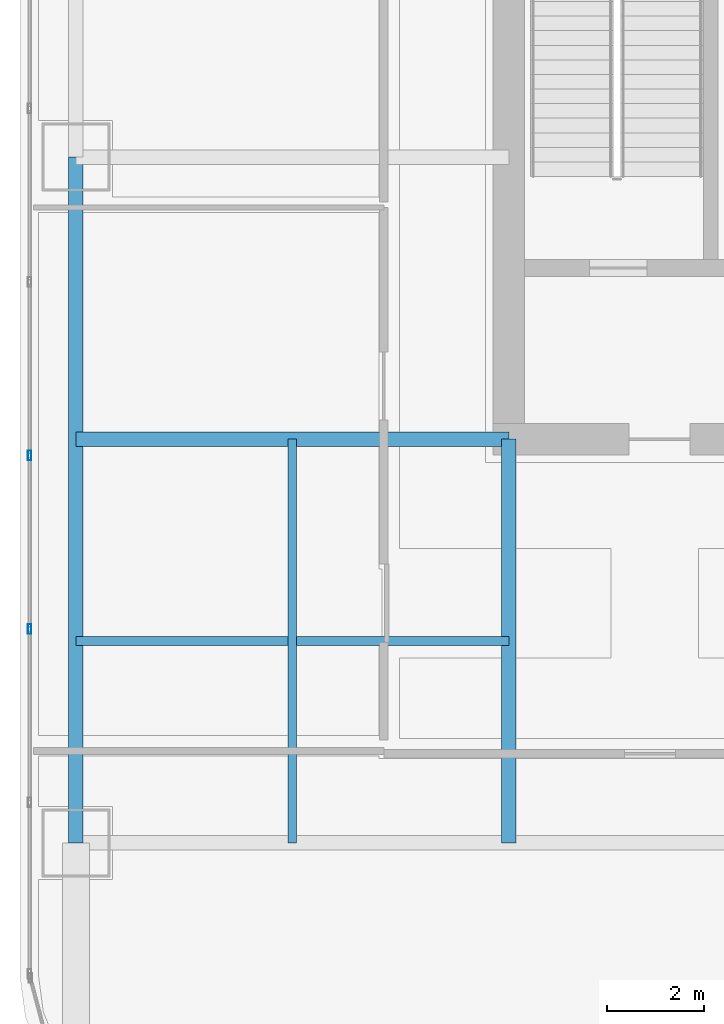
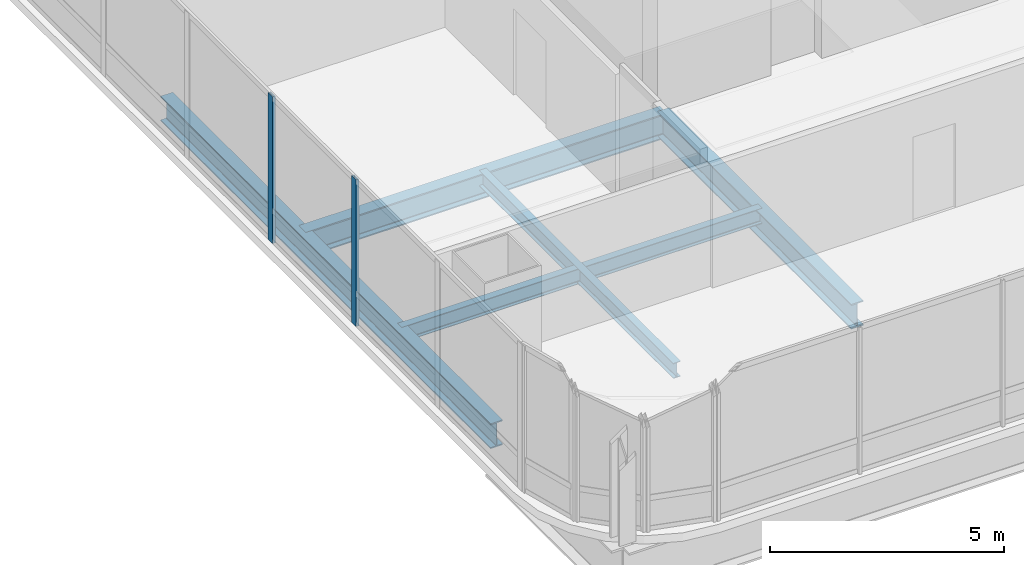
# One storey, part 4 of 36: 5 beams, 2 members, 1 element without a shape of its own.
"""IFC4 building model written with IfcOpenShell, lengths in metres."""

import ifcopenshell
import ifcopenshell.guid

model = None  # the IFC model being written
_history = None  # IfcOwnerHistory: only IFC2X3 demands one
_inside = {}  # id of a spatial element -> (the spatial element, [elements in it])
_under = {}  # id of a project, library or spatial element -> (it, [spatial elements below it])
_declared = {}  # id of a project -> (the project, [libraries it declares])
_typed = {}  # id of a type object -> (the type object, [elements of that type])
_made_of = {}  # id of a material, layer set ... -> (it, [elements and type objects made of it])


def new_model(schema):
    """Start an empty IFC model of exactly this schema.

    Asked for "IFC4X3", IfcOpenShell would pick the latest addendum, in which some entities
    have other attributes; the version numbers below select the first issue.
    IFC2X3 requires an IfcOwnerHistory on every rooted entity: one is made here for all.
    """
    global model, _history
    if schema == "IFC4X3":
        model = ifcopenshell.file(schema_version=(4, 3, 0, 0))
    else:
        model = ifcopenshell.file(schema=schema)
    _inside.clear()
    _under.clear()
    _declared.clear()
    _typed.clear()
    _made_of.clear()
    _history = None
    if model.schema == "IFC2X3":
        org = make("IfcOrganization", Name="unknown")
        user = make(
            "IfcPersonAndOrganization",
            ThePerson=make("IfcPerson", FamilyName="unknown"),
            TheOrganization=org,
        )
        app = make(
            "IfcApplication",
            ApplicationDeveloper=org,
            Version="unknown",
            ApplicationFullName="unknown",
            ApplicationIdentifier="unknown",
        )
        _history = make(
            "IfcOwnerHistory",
            OwningUser=user,
            OwningApplication=app,
            ChangeAction="ADDED",
            CreationDate=0,
        )
    return model


def make(cls, **values):
    """One entity of the class cls with the attributes given. An attribute that is None is left unset."""
    return model.create_entity(
        cls, **{name: value for name, value in values.items() if value is not None}
    )


def rooted(cls, **values):
    """An entity with a GlobalId (a new one), such as an element, a storey or a relation."""
    return make(cls, GlobalId=ifcopenshell.guid.new(), OwnerHistory=_history, **values)


def si_unit(unit_type, name, prefix=None):
    """IfcSIUnit, for example si_unit("LENGTHUNIT", "METRE", prefix="MILLI")."""
    return make("IfcSIUnit", UnitType=unit_type, Prefix=prefix, Name=name)


def assignment(units):
    """IfcUnitAssignment: the units of a project."""
    return None if units is None else make("IfcUnitAssignment", Units=units)


def point(xyz):
    """IfcCartesianPoint."""
    return None if xyz is None else make("IfcCartesianPoint", Coordinates=xyz)


def direction(xyz):
    """IfcDirection."""
    return None if xyz is None else make("IfcDirection", DirectionRatios=xyz)


def frame(location, z_axis=None, x_axis=None):
    """IfcAxis2Placement3D, a coordinate frame: its origin and axes. An axis left out is left unset."""
    return make(
        "IfcAxis2Placement3D",
        Location=point(location),
        Axis=direction(z_axis),
        RefDirection=direction(x_axis),
    )


def frame_2d(location, x_axis=None):
    """IfcAxis2Placement2D, a coordinate frame in the plane: its origin and x axis."""
    return make(
        "IfcAxis2Placement2D", Location=point(location), RefDirection=direction(x_axis)
    )


def origin():
    """The frame at (0, 0, 0) with its axes left unset."""
    return frame((0.0, 0.0, 0.0))


def origin_2d():
    """The frame at (0, 0) in the plane with its x axis left unset."""
    return frame_2d((0.0, 0.0))


def place(relative_to, where):
    """IfcLocalPlacement: puts the frame where relative to a parent placement (None: the world)."""
    return make(
        "IfcLocalPlacement", PlacementRelTo=relative_to, RelativePlacement=where
    )


def context(
    kind, dimensions, precision=None, world=None, true_north=None, identifier=None
):
    """IfcGeometricRepresentationContext, for example the 3D "Model" context."""
    return make(
        "IfcGeometricRepresentationContext",
        ContextIdentifier=identifier,
        ContextType=kind,
        CoordinateSpaceDimension=dimensions,
        Precision=precision,
        WorldCoordinateSystem=world,
        TrueNorth=true_north,
    )


def subcontext(parent, identifier, kind, view, scale=None):
    """IfcGeometricRepresentationSubContext, for example "Body" below "Model"."""
    return make(
        "IfcGeometricRepresentationSubContext",
        ContextIdentifier=identifier,
        ContextType=kind,
        ParentContext=parent,
        TargetScale=scale,
        TargetView=view,
    )


def project(units=None, contexts=None):
    """IfcProject with its units and contexts."""
    return rooted(
        "IfcProject",
        Name="project",
        RepresentationContexts=contexts,
        UnitsInContext=assignment(units),
    )


def spatial(cls, under=None, at=None, **own):
    """A site, building, storey or space (cls), placed at a placement, below another one or the project."""
    s = rooted(cls, ObjectPlacement=at, **own)
    if under is not None:
        _under.setdefault(under.id(), (under, []))[1].append(s)
    return s


def profile(cls, at=None, kind="AREA", **sizes):
    """A parametric profile (cls). Its sizes go by their IFC names, for example OverallWidth=200.0."""
    return make(cls, ProfileType=kind, Position=at, **sizes)


def hollow_rectangle(**sizes):
    """IfcRectangleHollowProfileDef."""
    return profile("IfcRectangleHollowProfileDef", **sizes)


def i_section(**sizes):
    """IfcIShapeProfileDef."""
    return profile("IfcIShapeProfileDef", **sizes)


def extrude(swept, where, along, depth):
    """IfcExtrudedAreaSolid: the profile swept, set in the frame where, extruded along a direction by depth."""
    return make(
        "IfcExtrudedAreaSolid",
        SweptArea=swept,
        Position=where,
        ExtrudedDirection=direction(along),
        Depth=depth,
    )


def shape(context_of_items, identifier, shape_type, items):
    """IfcShapeRepresentation: the items that make up one representation, for example the "Body"."""
    return make(
        "IfcShapeRepresentation",
        ContextOfItems=context_of_items,
        RepresentationIdentifier=identifier,
        RepresentationType=shape_type,
        Items=items,
    )


def material(Name=None, Category=None):
    """IfcMaterial."""
    return make("IfcMaterial", Name=Name, Category=Category)


def material_profile(
    of_material, cross_section, Name=None, Category=None, Priority=None
):
    """IfcMaterialProfile: a cross section and its material."""
    return make(
        "IfcMaterialProfile",
        Name=Name,
        Material=of_material,
        Profile=cross_section,
        Priority=Priority,
        Category=Category,
    )


def profile_set(profiles, Name=None, composite=None):
    """IfcMaterialProfileSet."""
    return make(
        "IfcMaterialProfileSet",
        Name=Name,
        MaterialProfiles=profiles,
        CompositeProfile=composite,
    )


def made_of(thing, what):
    """Note that an element or type object is made of a material, layer set ...; save() writes the relation."""
    if what is not None:
        _made_of.setdefault(what.id(), (what, []))[1].append(thing)
    return thing


def type_object(cls, material=None, **own):
    """A type object (cls), such as IfcWallType, which elements share."""
    return made_of(rooted(cls, **own), material)


def element(
    cls,
    number,
    at=None,
    inside=None,
    cuts=None,
    type_object=None,
    material=None,
    context=None,
    identifier="Body",
    shape_type=None,
    held_by="IfcProductDefinitionShape",
    body=None,
    shapes=None,
    **own,
):
    """One element of the class cls, such as IfcWall. Its Tag is "e" and its number.

    at: its placement. inside: the storey or other place that contains it. cuts: it is an
    opening in that element (IfcRelVoidsElement). A single representation is given by context,
    identifier, shape_type and body (its items); several are given by shapes. held_by: the class
    of the entity that holds the representations. save() writes the other relations.
    """
    e = rooted(cls, Tag="e%d" % number, ObjectPlacement=at, **own)
    if body is not None:
        shapes = [shape(context, identifier, shape_type, body)]
    if shapes is not None:
        e.Representation = make(held_by, Representations=shapes)
    if inside is not None:
        _inside.setdefault(inside.id(), (inside, []))[1].append(e)
    if cuts is not None:
        rooted(
            "IfcRelVoidsElement", RelatingBuildingElement=cuts, RelatedOpeningElement=e
        )
    if type_object is not None:
        _typed.setdefault(type_object.id(), (type_object, []))[1].append(e)
    return made_of(e, material)


def aggregate(whole, parts):
    """IfcRelAggregates: a whole, such as a stair, and the parts it consists of."""
    return rooted("IfcRelAggregates", RelatingObject=whole, RelatedObjects=parts)


def save(model, path):
    """Write the relations noted so far, then the file.

    IfcRelAggregates (storeys below a building ...), IfcRelContainedInSpatialStructure (elements
    in a storey), IfcRelDefinesByType, IfcRelAssociatesMaterial and IfcRelDeclares: one each for
    every whole, place, type object, material and project.
    """
    for whole, parts in _under.values():
        aggregate(whole, parts)
    for where, things in _inside.values():
        rooted(
            "IfcRelContainedInSpatialStructure",
            RelatedElements=things,
            RelatingStructure=where,
        )
    for kind, things in _typed.values():
        rooted("IfcRelDefinesByType", RelatedObjects=things, RelatingType=kind)
    for what, things in _made_of.values():
        rooted("IfcRelAssociatesMaterial", RelatedObjects=things, RelatingMaterial=what)
    for by, libraries in _declared.values():
        rooted("IfcRelDeclares", RelatingContext=by, RelatedDefinitions=libraries)
    model.write(path)


model = new_model("IFC4")

# Units and contexts
model_context = context("Model", 3, precision=1e-05, world=origin(), true_north=direction((0.0, 1.0)))
body_context = subcontext(model_context, "Body", "Model", "MODEL_VIEW")
ifc_project = project(units=[si_unit("LENGTHUNIT", "METRE"), si_unit("AREAUNIT", "SQUARE_METRE"), si_unit("VOLUMEUNIT", "CUBIC_METRE"), si_unit("PLANEANGLEUNIT", "RADIAN"), si_unit("MASSUNIT", "GRAM", prefix="KILO")], contexts=[model_context])

# Site, building, storey
site_placement = place(None, origin())
site = spatial("IfcSite", under=ifc_project, at=site_placement, CompositionType="ELEMENT")
building_placement = place(site_placement, origin())
building = spatial("IfcBuilding", under=site, at=building_placement, Name="Punatoya Terracotta Tower", CompositionType="ELEMENT")
storey_placement = place(building_placement, frame((0.0, 0.0, 208.64990234375)))
storey = spatial("IfcBuildingStorey", under=building, at=storey_placement, Name="L49", CompositionType="ELEMENT", Elevation=208.64990234375)

# Beams
ifc_material_1 = material(Name="Steel S355", Category="steel")
ifc_material_profile_1 = material_profile(ifc_material_1, i_section(OverallWidth=0.300048828125, OverallDepth=0.64990234375, WebThickness=0.01611328125, FlangeThickness=0.031005859375, FilletRadius=0.01806640625, at=origin_2d()))
ifc_profile_set_1 = profile_set([ifc_material_profile_1], Name="Steel S355")
beam_type_1 = type_object("IfcBeamType", Name="BM-PRI-650", PredefinedType="BEAM", material=ifc_profile_set_1)
beam_1_placement = place(storey_placement, frame((-19.10009765625, -17.5, -0.544921875), z_axis=(0.0, 1.0, 0.0), x_axis=(-1.0, 0.0, 0.0)))
element("IfcBeam", 1, at=beam_1_placement, inside=storey, type_object=beam_type_1, Name="BM-L49-RG-W1", PredefinedType="BEAM", context=body_context, shape_type="SweptSolid", body=[
    extrude(i_section(OverallWidth=0.300048828125, OverallDepth=0.64990234375, WebThickness=0.01611328125, FlangeThickness=0.031005859375, FilletRadius=0.01806640625, at=origin_2d()), origin(), (0.0, 0.0, 1.0), 14.10009765625),
])
beam_2_placement = place(storey_placement, frame((-19.10009765625, -9.199951171875, -0.544921875), z_axis=(1.0, 0.0, 0.0), x_axis=(0.0, 1.0, 0.0)))
element("IfcBeam", 2, at=beam_2_placement, inside=storey, type_object=beam_type_1, Name="BM-L49-PR-WS", PredefinedType="BEAM", context=body_context, shape_type="SweptSolid", body=[
    extrude(i_section(OverallWidth=0.300048828125, OverallDepth=0.64990234375, WebThickness=0.01611328125, FlangeThickness=0.031005859375, FilletRadius=0.01806640625, at=origin_2d()), origin(), (0.0, 0.0, 1.0), 8.900146484375),
])
beam_3_placement = place(storey_placement, frame((-10.199951171875, -17.5, -0.544921875), z_axis=(0.0, 1.0, 0.0), x_axis=(-1.0, 0.0, 0.0)))
element("IfcBeam", 3, at=beam_3_placement, inside=storey, type_object=beam_type_1, Name="BM-L49-PR-S1", PredefinedType="BEAM", context=body_context, shape_type="SweptSolid", body=[
    extrude(i_section(OverallWidth=0.300048828125, OverallDepth=0.64990234375, WebThickness=0.01611328125, FlangeThickness=0.031005859375, FilletRadius=0.01806640625, at=origin_2d()), origin(), (0.0, 0.0, 1.0), 8.300048828125),
])
ifc_material_profile_2 = material_profile(ifc_material_1, i_section(OverallWidth=0.179931640625, OverallDepth=0.39990234375, WebThickness=0.008544921875, FlangeThickness=0.013427734375, FilletRadius=0.01806640625, at=origin_2d()))
ifc_profile_set_2 = profile_set([ifc_material_profile_2], Name="Steel S355")
beam_type_2 = type_object("IfcBeamType", Name="BM-SEC-400", PredefinedType="JOIST", material=ifc_profile_set_2)
beam_4_placement = place(storey_placement, frame((-19.10009765625, -13.35009765625, -0.419921875), z_axis=(1.0, 0.0, 0.0), x_axis=(0.0, 1.0, 0.0)))
element("IfcBeam", 4, at=beam_4_placement, inside=storey, type_object=beam_type_2, Name="BM-L49-SJS-1", PredefinedType="JOIST", context=body_context, shape_type="SweptSolid", body=[
    extrude(i_section(OverallWidth=0.179931640625, OverallDepth=0.39990234375, WebThickness=0.008544921875, FlangeThickness=0.013427734375, FilletRadius=0.01806640625, at=origin_2d()), origin(), (0.0, 0.0, 1.0), 8.900146484375),
])
beam_5_placement = place(storey_placement, frame((-14.64990234375, -17.5, -0.419921875), z_axis=(0.0, 1.0, 0.0), x_axis=(-1.0, 0.0, 0.0)))
element("IfcBeam", 5, at=beam_5_placement, inside=storey, type_object=beam_type_2, Name="BM-L49-SJW-1", PredefinedType="JOIST", context=body_context, shape_type="SweptSolid", body=[
    extrude(i_section(OverallWidth=0.179931640625, OverallDepth=0.39990234375, WebThickness=0.008544921875, FlangeThickness=0.013427734375, FilletRadius=0.01806640625, at=origin_2d()), origin(), (0.0, 0.0, 1.0), 8.300048828125),
])

# Curtain wall, members
ifc_material_2 = material(Name="Aluminium 6063-T6 + Double Low-E Glass", Category="aluminium")
curtain_wall_type = type_object("IfcCurtainWallType", Name="CW-M2", PredefinedType="NOTDEFINED", material=ifc_material_2)
curtain_wall_placement = place(storey_placement, origin())
curtain_wall = element("IfcCurtainWall", 6, at=curtain_wall_placement, inside=storey, type_object=curtain_wall_type, Name="L49 Curtain Wall CW-L49-W13-1", PredefinedType="NOTDEFINED")
ifc_material_3 = material(Name="Aluminium 6063-T6", Category="aluminium")
ifc_material_profile_3 = material_profile(ifc_material_3, hollow_rectangle(XDim=0.072021484375, YDim=0.195068359375, WallThickness=0.00439453125, at=origin_2d()))
ifc_profile_set_3 = profile_set([ifc_material_profile_3], Name="Aluminium 6063-T6")
member_type = type_object("IfcMemberType", Name="CW-MUL-M2", PredefinedType="MULLION", material=ifc_profile_set_3)
member_1_placement = place(storey_placement, frame((-20.050048828125, -9.534912109375, 0.0), z_axis=(0.0, 0.0, 1.0), x_axis=(1.0, 0.0, 0.0)))
member_1 = element("IfcMember", 7, at=member_1_placement, type_object=member_type, Name="CW-L49-W13-1 Mullion 07", PredefinedType="MULLION", context=body_context, shape_type="SweptSolid", body=[
    extrude(hollow_rectangle(XDim=0.072021484375, YDim=0.195068359375, WallThickness=0.00439453125, at=origin_2d()), origin(), (0.0, 0.0, 1.0), 3.830078125),
])
member_2_placement = place(storey_placement, frame((-20.050048828125, -13.10205078125, 0.0), z_axis=(0.0, 0.0, 1.0), x_axis=(1.0, 0.0, 0.0)))
member_2 = element("IfcMember", 8, at=member_2_placement, type_object=member_type, Name="CW-L49-W13-1 Mullion 08", PredefinedType="MULLION", context=body_context, shape_type="SweptSolid", body=[
    extrude(hollow_rectangle(XDim=0.072021484375, YDim=0.195068359375, WallThickness=0.00439453125, at=origin_2d()), origin(), (0.0, 0.0, 1.0), 3.830078125),
])
aggregate(curtain_wall, [member_1, member_2])

save(model, "model.ifc")
